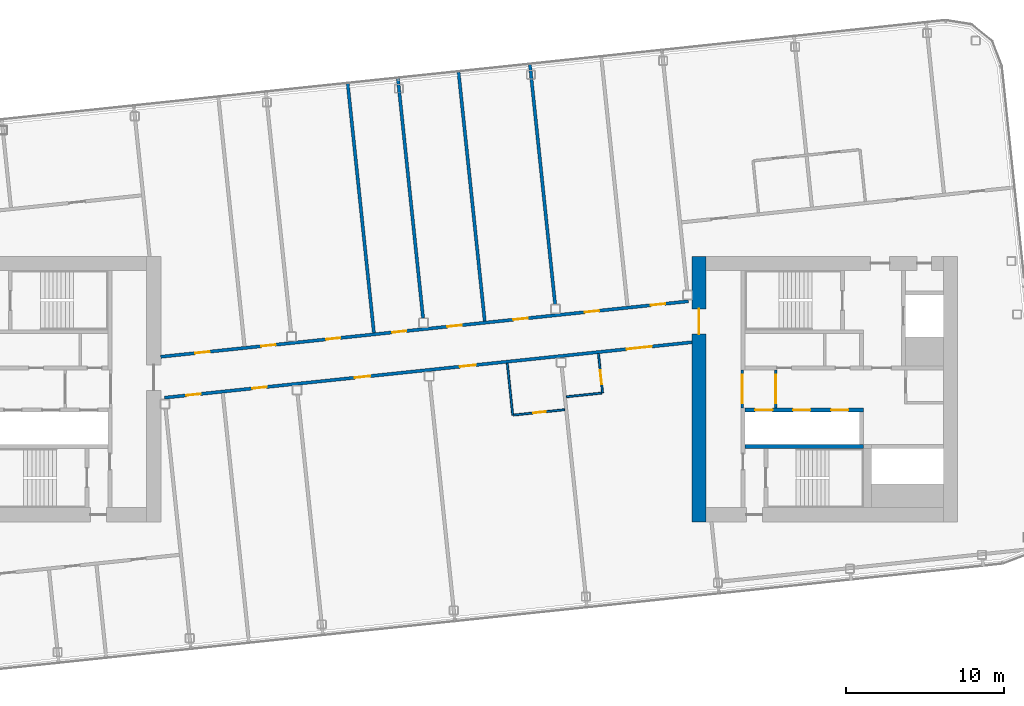
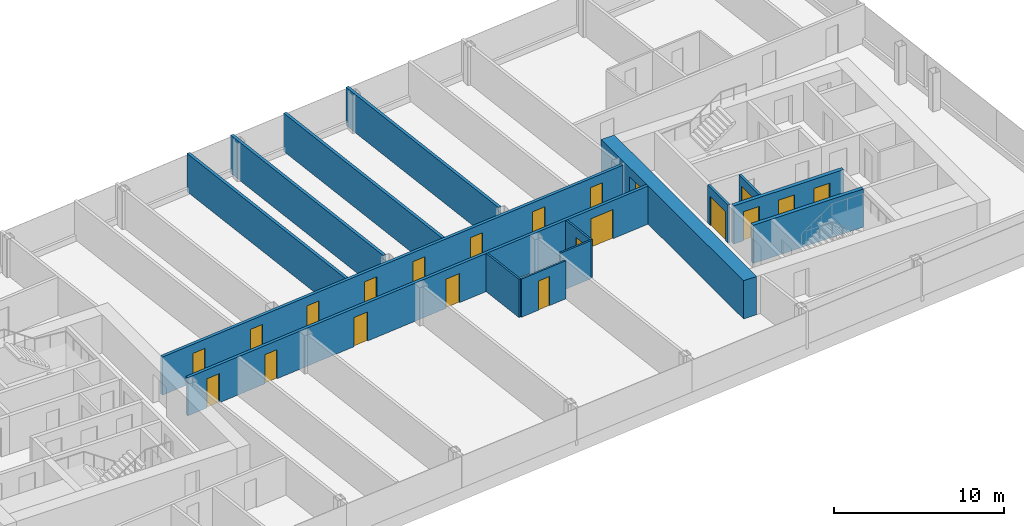
# One storey, part 16 of 27: 21 doors, 15 walls, 21 openings.
"""IFC4 building model written with IfcOpenShell, lengths in metres."""

from ifc_helpers import new_model, si_unit, direction, frame, frame_2d, origin, place, context, subcontext, project, spatial, rectangle, extrude, material, layer, layer_set, type_object, element, fill, save


model = new_model("IFC4")

# Units and contexts
model_context = context("Model", 3, precision=1e-05, world=origin(), true_north=direction((0.0, 1.0)))
body_context = subcontext(model_context, "Body", "Model", "MODEL_VIEW")
ifc_project = project(units=[si_unit("LENGTHUNIT", "METRE"), si_unit("AREAUNIT", "SQUARE_METRE"), si_unit("VOLUMEUNIT", "CUBIC_METRE"), si_unit("PLANEANGLEUNIT", "RADIAN"), si_unit("MASSUNIT", "GRAM", prefix="KILO")], contexts=[model_context])

# Site, building, storey
site_placement = place(None, origin())
site = spatial("IfcSite", under=ifc_project, at=site_placement, CompositionType="ELEMENT")
building_placement = place(site_placement, origin())
building = spatial("IfcBuilding", under=site, at=building_placement, Name="Hakoniwa Tower and Hamabe Station Hall", CompositionType="ELEMENT")
storey_placement = place(building_placement, frame((0.0, 0.0, 239.0)))
storey = spatial("IfcBuildingStorey", under=building, at=storey_placement, Name="L67", CompositionType="ELEMENT", Elevation=239.0)

# Wall, opening, door
ifc_material_1 = material(Name="Gypsum board partition", Category="gypsum")
ifc_layer_1 = layer(ifc_material_1, 0.125)
ifc_layer_set_1 = layer_set([ifc_layer_1], Name="Bathroom Partition 125")
wall_type_1 = type_object("IfcWallType", Name="Bathroom Partition 125", PredefinedType="PARTITIONING", material=ifc_layer_set_1)
wall_1_placement = place(storey_placement, frame((5.526123046875, -1.64501953125, 0.0), z_axis=(0.0, 0.0, 1.0), x_axis=(0.994522794159, 0.104519911488, 0.0)))
wall_1 = element("IfcWall", 1, at=wall_1_placement, inside=storey, type_object=wall_type_1, Name="GW-L67-004", PredefinedType="PARTITIONING", context=body_context, shape_type="SweptSolid", body=[
    extrude(rectangle(XDim=3.237548828125, YDim=0.125, at=frame_2d((1.61865234375, 0.0))), origin(), (0.0, 0.0, 1.0), 2.75),
])
opening_1_placement = place(wall_1_placement, frame((1.237548828125, 0.0, 0.0)))
opening_1 = element("IfcOpeningElement", 2, at=opening_1_placement, cuts=wall_1, Name="Opening GD-G5A0-06", PredefinedType="OPENING", context=body_context, shape_type="SweptSolid", body=[
    extrude(rectangle(XDim=0.800048828125, YDim=2.10009765625, at=frame_2d((0.39990234375, 1.050048828125))), frame((0.0, 0.072509765625, 0.0), z_axis=(0.0, -1.0, 0.0), x_axis=(1.0, 0.0, 0.0)), (0.0, 0.0, 1.0), 0.14501953125),
])
ifc_material_2 = material(Name="Timber door leaf", Category="wood")
door_type_1 = type_object("IfcDoorType", Name="Bathroom Door 800", OperationType="SINGLE_SWING_LEFT", PredefinedType="DOOR", material=ifc_material_2)
door_1_placement = place(opening_1_placement, origin())
door_1 = element("IfcDoor", 3, at=door_1_placement, inside=storey, type_object=door_type_1, Name="Door GD-G5A0-06", OperationType="SINGLE_SWING_RIGHT", OverallHeight=2.10009765625, OverallWidth=0.800048828125, PredefinedType="DOOR", context=body_context, shape_type="SweptSolid", body=[
    extrude(rectangle(XDim=0.800048828125, YDim=2.10009765625, at=frame_2d((0.39990234375, 1.050048828125))), frame((0.0, 0.02490234375, 0.0), z_axis=(0.0, -1.0, 0.0), x_axis=(1.0, 0.0, 0.0)), (0.0, 0.0, 1.0), 0.050048828125),
])
fill(opening_1, door_1)

# Wall
wall_2_placement = place(storey_placement, frame((5.4638671875, -1.651611328125, 0.0), z_axis=(0.0, 0.0, 1.0), x_axis=(-0.104534592565, 0.994521251134, 0.0)))
element("IfcWall", 4, at=wall_2_placement, inside=storey, type_object=wall_type_1, Name="GW-L67-031", PredefinedType="PARTITIONING", context=body_context, shape_type="SweptSolid", body=[
    extrude(rectangle(XDim=3.300048828125, YDim=0.125, at=frame_2d((1.64990234375, 0.0))), origin(), (0.0, 0.0, 1.0), 2.75),
])

# Wall, opening, door
ifc_material_3 = material(Name="Gypsum board partition")
ifc_layer_2 = layer(ifc_material_3, 0.14990234375)
ifc_layer_set_2 = layer_set([ifc_layer_2], Name="CORE PARTITION 150 EI 60")
wall_type_2 = type_object("IfcWallType", Name="CORE PARTITION 150 EI 60", PredefinedType="PARTITIONING", material=ifc_layer_set_2)
wall_3_placement = place(storey_placement, frame((19.97509765625, -1.199951171875, 0.0), z_axis=(0.0, 0.0, 1.0), x_axis=(0.0, 1.0, 0.0)))
wall_3 = element("IfcWall", 5, at=wall_3_placement, inside=storey, type_object=wall_type_2, Name="Core partition PL0 east", PredefinedType="PARTITIONING", context=body_context, shape_type="SweptSolid", body=[
    extrude(rectangle(XDim=2.39990234375, YDim=0.14990234375, at=frame_2d((1.199951171875, 0.0))), origin(), (0.0, 0.0, 1.0), 2.75),
])
opening_2_placement = place(wall_3_placement, frame((0.300048828125, 0.0, 0.0)))
opening_2 = element("IfcOpeningElement", 6, at=opening_2_placement, cuts=wall_3, Name="Opening CD-E-LP0-18", PredefinedType="OPENING", context=body_context, shape_type="SweptSolid", body=[
    extrude(rectangle(XDim=1.800048828125, YDim=2.10009765625, at=frame_2d((0.89990234375, 1.050048828125))), frame((0.0, 0.0849609375, 0.0), z_axis=(0.0, -1.0, 0.0), x_axis=(1.0, 0.0, 0.0)), (0.0, 0.0, 1.0), 0.169921875),
])
ifc_material_4 = material(Name="Steel fire door", Category="steel")
door_type_2 = type_object("IfcDoorType", Name="CORE DOOR 1800 FD60", OperationType="DOUBLE_DOOR_SINGLE_SWING", PredefinedType="DOOR", material=ifc_material_4)
door_2_placement = place(opening_2_placement, origin())
door_2 = element("IfcDoor", 7, at=door_2_placement, inside=storey, type_object=door_type_2, Name="Lift lobby partition door", OperationType="DOUBLE_DOOR_SINGLE_SWING", OverallHeight=2.10009765625, OverallWidth=1.800048828125, PredefinedType="DOOR", context=body_context, shape_type="SweptSolid", body=[
    extrude(rectangle(XDim=1.800048828125, YDim=2.10009765625, at=frame_2d((0.89990234375, 1.050048828125))), frame((0.0, 0.02490234375, 0.0), z_axis=(0.0, -1.0, 0.0), x_axis=(1.0, 0.0, 0.0)), (0.0, 0.0, 1.0), 0.050048828125),
])
fill(opening_2, door_2)

wall_4_placement = place(storey_placement, frame((22.10009765625, -1.199951171875, 0.0), z_axis=(0.0, 0.0, 1.0), x_axis=(0.0, 1.0, 0.0)))
wall_4 = element("IfcWall", 8, at=wall_4_placement, inside=storey, type_object=wall_type_2, Name="Core partition PL1 east", PredefinedType="PARTITIONING", context=body_context, shape_type="SweptSolid", body=[
    extrude(rectangle(XDim=2.39990234375, YDim=0.14990234375, at=frame_2d((1.199951171875, 0.0))), origin(), (0.0, 0.0, 1.0), 2.75),
])
opening_3_placement = place(wall_4_placement, frame((0.300048828125, 0.0, 0.0)))
opening_3 = element("IfcOpeningElement", 9, at=opening_3_placement, cuts=wall_4, Name="Opening CD-E-LP1-18", PredefinedType="OPENING", context=body_context, shape_type="SweptSolid", body=[
    extrude(rectangle(XDim=1.800048828125, YDim=2.10009765625, at=frame_2d((0.89990234375, 1.050048828125))), frame((0.0, 0.0849609375, 0.0), z_axis=(0.0, -1.0, 0.0), x_axis=(1.0, 0.0, 0.0)), (0.0, 0.0, 1.0), 0.169921875),
])
door_3_placement = place(opening_3_placement, origin())
door_3 = element("IfcDoor", 10, at=door_3_placement, inside=storey, type_object=door_type_2, Name="Lift lobby partition door", OperationType="DOUBLE_DOOR_SINGLE_SWING", OverallHeight=2.10009765625, OverallWidth=1.800048828125, PredefinedType="DOOR", context=body_context, shape_type="SweptSolid", body=[
    extrude(rectangle(XDim=1.800048828125, YDim=2.10009765625, at=frame_2d((0.89990234375, 1.050048828125))), frame((0.0, 0.02490234375, 0.0), z_axis=(0.0, -1.0, 0.0), x_axis=(1.0, 0.0, 0.0)), (0.0, 0.0, 1.0), 0.050048828125),
])
fill(opening_3, door_3)

ifc_material_5 = material(Name="Concrete C60", Category="concrete")
ifc_layer_3 = layer(ifc_material_5, 0.89990234375)
ifc_layer_set_3 = layer_set([ifc_layer_3], Name="CORE WALL 900 C60")
wall_type_3 = type_object("IfcWallType", Name="CORE WALL 900 C60", PredefinedType="SHEAR", material=ifc_layer_set_3)
wall_5_placement = place(storey_placement, frame((17.25, -8.39990234375, 0.0), z_axis=(0.0, 0.0, 1.0), x_axis=(0.0, 1.0, 0.0)))
wall_5 = element("IfcWall", 11, at=wall_5_placement, inside=storey, type_object=wall_type_3, Name="Core wall INNER east", PredefinedType="SHEAR", context=body_context, shape_type="SweptSolid", body=[
    extrude(rectangle(XDim=16.7998046875, YDim=0.89990234375, at=frame_2d((8.39990234375, 0.0))), origin(), (0.0, 0.0, 1.0), 2.75),
])
opening_4_placement = place(wall_5_placement, frame((11.87890625, 0.0, 0.0)))
opening_4 = element("IfcOpeningElement", 12, at=opening_4_placement, cuts=wall_5, Name="Opening CD-E-IN1-16", PredefinedType="OPENING", context=body_context, shape_type="SweptSolid", body=[
    extrude(rectangle(XDim=1.60009765625, YDim=2.10009765625, at=frame_2d((0.800048828125, 1.050048828125))), frame((0.0, 0.4599609375, 0.0), z_axis=(0.0, -1.0, 0.0), x_axis=(1.0, 0.0, 0.0)), (0.0, 0.0, 1.0), 0.919921875),
])
ifc_material_6 = material(Name="Steel fire door", Category="steel")
door_type_3 = type_object("IfcDoorType", Name="CORE DOOR 1600 FD60", OperationType="DOUBLE_DOOR_SINGLE_SWING", PredefinedType="DOOR", material=ifc_material_6)
door_4_placement = place(opening_4_placement, origin())
door_4 = element("IfcDoor", 13, at=door_4_placement, inside=storey, type_object=door_type_3, Name="Lift lobby door", OperationType="DOUBLE_DOOR_SINGLE_SWING", OverallHeight=2.10009765625, OverallWidth=1.60009765625, PredefinedType="DOOR", context=body_context, shape_type="SweptSolid", body=[
    extrude(rectangle(XDim=1.60009765625, YDim=2.10009765625, at=frame_2d((0.800048828125, 1.050048828125))), frame((0.0, 0.02490234375, 0.0), z_axis=(0.0, -1.0, 0.0), x_axis=(1.0, 0.0, 0.0)), (0.0, 0.0, 1.0), 0.050048828125),
])
fill(opening_4, door_4)

# Wall, openings, doors
ifc_material_7 = material(Name="Concrete C60", Category="concrete")
ifc_layer_4 = layer(ifc_material_7, 0.25)
ifc_layer_set_4 = layer_set([ifc_layer_4], Name="CORE WEB WALL 250 C60")
wall_type_4 = type_object("IfcWallType", Name="CORE WEB WALL 250 C60", PredefinedType="SHEAR", material=ifc_layer_set_4)
wall_6_placement = place(storey_placement, frame((20.14990234375, -1.324951171875, 0.0), z_axis=(0.0, 0.0, 1.0), x_axis=(1.0, 0.0, 0.0)))
wall_6 = element("IfcWall", 14, at=wall_6_placement, inside=storey, type_object=wall_type_4, Name="Core wall SF east", PredefinedType="SHEAR", context=body_context, shape_type="SweptSolid", body=[
    extrude(rectangle(XDim=7.5, YDim=0.25, at=frame_2d((3.75, 0.0))), origin(), (0.0, 0.0, 1.0), 2.75),
])
opening_5_placement = place(wall_6_placement, frame((0.64990234375, 0.0, 0.0)))
opening_5 = element("IfcOpeningElement", 15, at=opening_5_placement, cuts=wall_6, Name="Opening LD-HR4", PredefinedType="OPENING", context=body_context, shape_type="SweptSolid", body=[
    extrude(rectangle(XDim=1.10009765625, YDim=2.10009765625, at=frame_2d((0.550048828125, 1.050048828125))), frame((0.0, 0.135009765625, 0.0), z_axis=(0.0, -1.0, 0.0), x_axis=(1.0, 0.0, 0.0)), (0.0, 0.0, 1.0), 0.27001953125),
])
opening_6_placement = place(wall_6_placement, frame((3.050048828125, 0.0, 0.0)))
opening_6 = element("IfcOpeningElement", 16, at=opening_6_placement, cuts=wall_6, Name="Opening LD-HR5", PredefinedType="OPENING", context=body_context, shape_type="SweptSolid", body=[
    extrude(rectangle(XDim=1.10009765625, YDim=2.10009765625, at=frame_2d((0.550048828125, 1.050048828125))), frame((0.0, 0.135009765625, 0.0), z_axis=(0.0, -1.0, 0.0), x_axis=(1.0, 0.0, 0.0)), (0.0, 0.0, 1.0), 0.27001953125),
])
opening_7_placement = place(wall_6_placement, frame((5.449951171875, 0.0, 0.0)))
opening_7 = element("IfcOpeningElement", 17, at=opening_7_placement, cuts=wall_6, Name="Opening LD-HR6", PredefinedType="OPENING", context=body_context, shape_type="SweptSolid", body=[
    extrude(rectangle(XDim=1.10009765625, YDim=2.10009765625, at=frame_2d((0.550048828125, 1.050048828125))), frame((0.0, 0.135009765625, 0.0), z_axis=(0.0, -1.0, 0.0), x_axis=(1.0, 0.0, 0.0)), (0.0, 0.0, 1.0), 0.27001953125),
])
ifc_material_8 = material(Name="Stainless steel SUS304", Category="steel")
door_type_4 = type_object("IfcDoorType", Name="LIFT LANDING DOOR 1100 FD60", OperationType="DOUBLE_DOOR_SLIDING", PredefinedType="DOOR", material=ifc_material_8)
door_5_placement = place(opening_5_placement, origin())
door_5 = element("IfcDoor", 18, at=door_5_placement, inside=storey, type_object=door_type_4, Name="Lift landing door HR4 L67", OperationType="DOUBLE_DOOR_SLIDING", OverallHeight=2.10009765625, OverallWidth=1.10009765625, PredefinedType="DOOR", context=body_context, shape_type="SweptSolid", body=[
    extrude(rectangle(XDim=1.10009765625, YDim=2.10009765625, at=frame_2d((0.550048828125, 1.050048828125))), frame((0.0, 0.02490234375, 0.0), z_axis=(0.0, -1.0, 0.0), x_axis=(1.0, 0.0, 0.0)), (0.0, 0.0, 1.0), 0.050048828125),
])
fill(opening_5, door_5)
door_6_placement = place(opening_6_placement, origin())
door_6 = element("IfcDoor", 19, at=door_6_placement, inside=storey, type_object=door_type_4, Name="Lift landing door HR5 L67", OperationType="DOUBLE_DOOR_SLIDING", OverallHeight=2.10009765625, OverallWidth=1.10009765625, PredefinedType="DOOR", context=body_context, shape_type="SweptSolid", body=[
    extrude(rectangle(XDim=1.10009765625, YDim=2.10009765625, at=frame_2d((0.550048828125, 1.050048828125))), frame((0.0, 0.02490234375, 0.0), z_axis=(0.0, -1.0, 0.0), x_axis=(1.0, 0.0, 0.0)), (0.0, 0.0, 1.0), 0.050048828125),
])
fill(opening_6, door_6)
door_7_placement = place(opening_7_placement, origin())
door_7 = element("IfcDoor", 20, at=door_7_placement, inside=storey, type_object=door_type_4, Name="Lift landing door HR6 L67", OperationType="DOUBLE_DOOR_SLIDING", OverallHeight=2.10009765625, OverallWidth=1.10009765625, PredefinedType="DOOR", context=body_context, shape_type="SweptSolid", body=[
    extrude(rectangle(XDim=1.10009765625, YDim=2.10009765625, at=frame_2d((0.550048828125, 1.050048828125))), frame((0.0, 0.02490234375, 0.0), z_axis=(0.0, -1.0, 0.0), x_axis=(1.0, 0.0, 0.0)), (0.0, 0.0, 1.0), 0.050048828125),
])
fill(opening_7, door_7)

# Wall
wall_7_placement = place(storey_placement, frame((20.14990234375, -3.625, 0.0), z_axis=(0.0, 0.0, 1.0), x_axis=(1.0, 0.0, 0.0)))
element("IfcWall", 21, at=wall_7_placement, inside=storey, type_object=wall_type_4, Name="Core wall SR east", PredefinedType="SHEAR", context=body_context, shape_type="SweptSolid", body=[
    extrude(rectangle(XDim=7.5, YDim=0.25, at=frame_2d((3.75, 0.0))), origin(), (0.0, 0.0, 1.0), 2.75),
])

# Wall, openings, doors
ifc_material_9 = material(Name="Fire-rated gypsum board partition", Category="gypsum")
ifc_layer_5 = layer(ifc_material_9, 0.199951171875)
ifc_layer_set_5 = layer_set([ifc_layer_5], Name="Corridor Wall 200")
wall_type_5 = type_object("IfcWallType", Name="Corridor Wall 200", PredefinedType="PARTITIONING", material=ifc_layer_set_5)
wall_8_placement = place(storey_placement, frame((-16.572021484375, -0.549072265625, 0.0), z_axis=(0.0, 0.0, 1.0), x_axis=(0.994521146831, 0.104535584879, 0.0)))
wall_8 = element("IfcWall", 22, at=wall_8_placement, inside=storey, type_object=wall_type_5, Name="GW-L67-006", PredefinedType="PARTITIONING", context=body_context, shape_type="SweptSolid", body=[
    extrude(rectangle(XDim=33.560791015625, YDim=0.199951171875, at=frame_2d((16.7802734375, 0.0))), origin(), (0.0, 0.0, 1.0), 2.75),
])
opening_8_placement = place(wall_8_placement, frame((1.39990234375, 0.0, 0.0)))
opening_8 = element("IfcOpeningElement", 23, at=opening_8_placement, cuts=wall_8, Name="Opening GD-G5A0-07", PredefinedType="OPENING", context=body_context, shape_type="SweptSolid", body=[
    extrude(rectangle(XDim=0.89990234375, YDim=2.10009765625, at=frame_2d((0.449951171875, 1.050048828125))), frame((0.0, 0.10986328125, 0.0), z_axis=(0.0, -1.0, 0.0), x_axis=(1.0, 0.0, 0.0)), (0.0, 0.0, 1.0), 0.219970703125),
])
opening_9_placement = place(wall_8_placement, frame((5.60009765625, 0.0, 0.0)))
opening_9 = element("IfcOpeningElement", 24, at=opening_9_placement, cuts=wall_8, Name="Opening GD-G5A0-08", PredefinedType="OPENING", context=body_context, shape_type="SweptSolid", body=[
    extrude(rectangle(XDim=0.89990234375, YDim=2.10009765625, at=frame_2d((0.449951171875, 1.050048828125))), frame((0.0, 0.10986328125, 0.0), z_axis=(0.0, -1.0, 0.0), x_axis=(1.0, 0.0, 0.0)), (0.0, 0.0, 1.0), 0.219970703125),
])
opening_10_placement = place(wall_8_placement, frame((12.10009765625, 0.0, 0.0)))
opening_10 = element("IfcOpeningElement", 25, at=opening_10_placement, cuts=wall_8, Name="Opening GD-G5A0-09", PredefinedType="OPENING", context=body_context, shape_type="SweptSolid", body=[
    extrude(rectangle(XDim=1.0, YDim=2.10009765625, at=frame_2d((0.5, 1.050048828125))), frame((0.0, 0.10986328125, 0.0), z_axis=(0.0, -1.0, 0.0), x_axis=(1.0, 0.0, 0.0)), (0.0, 0.0, 1.0), 0.219970703125),
])
opening_11_placement = place(wall_8_placement, frame((18.800048828125, 0.0, 0.0)))
opening_11 = element("IfcOpeningElement", 26, at=opening_11_placement, cuts=wall_8, Name="Opening GD-G5A0-10", PredefinedType="OPENING", context=body_context, shape_type="SweptSolid", body=[
    extrude(rectangle(XDim=1.0, YDim=2.10009765625, at=frame_2d((0.5, 1.050048828125))), frame((0.0, 0.10986328125, 0.0), z_axis=(0.0, -1.0, 0.0), x_axis=(1.0, 0.0, 0.0)), (0.0, 0.0, 1.0), 0.219970703125),
])
opening_12_placement = place(wall_8_placement, frame((29.39990234375, 0.0, 0.0)))
opening_12 = element("IfcOpeningElement", 27, at=opening_12_placement, cuts=wall_8, Name="Opening GD-G5A0-11", PredefinedType="OPENING", context=body_context, shape_type="SweptSolid", body=[
    extrude(rectangle(XDim=1.60009765625, YDim=2.10009765625, at=frame_2d((0.800048828125, 1.050048828125))), frame((0.0, 0.10986328125, 0.0), z_axis=(0.0, -1.0, 0.0), x_axis=(1.0, 0.0, 0.0)), (0.0, 0.0, 1.0), 0.219970703125),
])
ifc_material_10 = material(Name="Timber door leaf", Category="wood")
door_type_5 = type_object("IfcDoorType", Name="Double Door 1600", OperationType="DOUBLE_DOOR_SINGLE_SWING", PredefinedType="DOOR", material=ifc_material_10)
door_8_placement = place(opening_12_placement, origin())
door_8 = element("IfcDoor", 28, at=door_8_placement, inside=storey, type_object=door_type_5, Name="Door GD-G5A0-11", OperationType="DOUBLE_DOOR_SINGLE_SWING", OverallHeight=2.10009765625, OverallWidth=1.60009765625, PredefinedType="DOOR", context=body_context, shape_type="SweptSolid", body=[
    extrude(rectangle(XDim=1.60009765625, YDim=2.10009765625, at=frame_2d((0.800048828125, 1.050048828125))), frame((0.0, 0.02490234375, 0.0), z_axis=(0.0, -1.0, 0.0), x_axis=(1.0, 0.0, 0.0)), (0.0, 0.0, 1.0), 0.050048828125),
])
fill(opening_12, door_8)
ifc_material_11 = material(Name="Timber door leaf", Category="wood")
door_type_6 = type_object("IfcDoorType", Name="Guest Entrance Door 1000", OperationType="SINGLE_SWING_LEFT", PredefinedType="DOOR", material=ifc_material_11)
door_9_placement = place(opening_10_placement, origin())
door_9 = element("IfcDoor", 29, at=door_9_placement, inside=storey, type_object=door_type_6, Name="Door GD-G5A0-09", OperationType="SINGLE_SWING_RIGHT", OverallHeight=2.10009765625, OverallWidth=1.0, PredefinedType="DOOR", context=body_context, shape_type="SweptSolid", body=[
    extrude(rectangle(XDim=1.0, YDim=2.10009765625, at=frame_2d((0.5, 1.050048828125))), frame((0.0, 0.02490234375, 0.0), z_axis=(0.0, -1.0, 0.0), x_axis=(1.0, 0.0, 0.0)), (0.0, 0.0, 1.0), 0.050048828125),
])
fill(opening_10, door_9)
door_10_placement = place(opening_11_placement, origin())
door_10 = element("IfcDoor", 30, at=door_10_placement, inside=storey, type_object=door_type_6, Name="Door GD-G5A0-10", OperationType="SINGLE_SWING_RIGHT", OverallHeight=2.10009765625, OverallWidth=1.0, PredefinedType="DOOR", context=body_context, shape_type="SweptSolid", body=[
    extrude(rectangle(XDim=1.0, YDim=2.10009765625, at=frame_2d((0.5, 1.050048828125))), frame((0.0, 0.02490234375, 0.0), z_axis=(0.0, -1.0, 0.0), x_axis=(1.0, 0.0, 0.0)), (0.0, 0.0, 1.0), 0.050048828125),
])
fill(opening_11, door_10)
ifc_material_12 = material(Name="Timber door leaf", Category="wood")
door_type_7 = type_object("IfcDoorType", Name="Service Door 900", OperationType="SINGLE_SWING_LEFT", PredefinedType="DOOR", material=ifc_material_12)
door_11_placement = place(opening_8_placement, origin())
door_11 = element("IfcDoor", 31, at=door_11_placement, inside=storey, type_object=door_type_7, Name="Door GD-G5A0-07", OperationType="SINGLE_SWING_RIGHT", OverallHeight=2.10009765625, OverallWidth=0.89990234375, PredefinedType="DOOR", context=body_context, shape_type="SweptSolid", body=[
    extrude(rectangle(XDim=0.89990234375, YDim=2.10009765625, at=frame_2d((0.449951171875, 1.050048828125))), frame((0.0, 0.02490234375, 0.0), z_axis=(0.0, -1.0, 0.0), x_axis=(1.0, 0.0, 0.0)), (0.0, 0.0, 1.0), 0.050048828125),
])
fill(opening_8, door_11)
door_12_placement = place(opening_9_placement, origin())
door_12 = element("IfcDoor", 32, at=door_12_placement, inside=storey, type_object=door_type_7, Name="Door GD-G5A0-08", OperationType="SINGLE_SWING_LEFT", OverallHeight=2.10009765625, OverallWidth=0.89990234375, PredefinedType="DOOR", context=body_context, shape_type="SweptSolid", body=[
    extrude(rectangle(XDim=0.89990234375, YDim=2.10009765625, at=frame_2d((0.449951171875, 1.050048828125))), frame((0.0, 0.02490234375, 0.0), z_axis=(0.0, -1.0, 0.0), x_axis=(1.0, 0.0, 0.0)), (0.0, 0.0, 1.0), 0.050048828125),
])
fill(opening_9, door_12)

wall_9_placement = place(storey_placement, frame((-16.804931640625, 2.040771484375, 0.0), z_axis=(0.0, 0.0, 1.0), x_axis=(0.994521146831, 0.104535584879, 0.0)))
wall_9 = element("IfcWall", 33, at=wall_9_placement, inside=storey, type_object=wall_type_5, Name="GW-L67-007", PredefinedType="PARTITIONING", context=body_context, shape_type="SweptSolid", body=[
    extrude(rectangle(XDim=33.560791015625, YDim=0.199951171875, at=frame_2d((16.7802734375, 0.0))), origin(), (0.0, 0.0, 1.0), 2.75),
])
opening_13_placement = place(wall_9_placement, frame((2.200927734375, 0.0, 0.0)))
opening_13 = element("IfcOpeningElement", 34, at=opening_13_placement, cuts=wall_9, Name="Opening GD-G5A0-12", PredefinedType="OPENING", context=body_context, shape_type="SweptSolid", body=[
    extrude(rectangle(XDim=0.89990234375, YDim=2.10009765625, at=frame_2d((0.449951171875, 1.050048828125))), frame((0.0, 0.10986328125, 0.0), z_axis=(0.0, -1.0, 0.0), x_axis=(1.0, 0.0, 0.0)), (0.0, 0.0, 1.0), 0.219970703125),
])
opening_14_placement = place(wall_9_placement, frame((6.40087890625, 0.0, 0.0)))
opening_14 = element("IfcOpeningElement", 35, at=opening_14_placement, cuts=wall_9, Name="Opening GD-G5A0-13", PredefinedType="OPENING", context=body_context, shape_type="SweptSolid", body=[
    extrude(rectangle(XDim=0.89990234375, YDim=2.10009765625, at=frame_2d((0.449951171875, 1.050048828125))), frame((0.0, 0.10986328125, 0.0), z_axis=(0.0, -1.0, 0.0), x_axis=(1.0, 0.0, 0.0)), (0.0, 0.0, 1.0), 0.219970703125),
])
opening_15_placement = place(wall_9_placement, frame((10.515869140625, 0.0, 0.0)))
opening_15 = element("IfcOpeningElement", 36, at=opening_15_placement, cuts=wall_9, Name="Opening GD-G5A0-14", PredefinedType="OPENING", context=body_context, shape_type="SweptSolid", body=[
    extrude(rectangle(XDim=0.89990234375, YDim=2.10009765625, at=frame_2d((0.449951171875, 1.050048828125))), frame((0.0, 0.10986328125, 0.0), z_axis=(0.0, -1.0, 0.0), x_axis=(1.0, 0.0, 0.0)), (0.0, 0.0, 1.0), 0.219970703125),
])
opening_16_placement = place(wall_9_placement, frame((14.7158203125, 0.0, 0.0)))
opening_16 = element("IfcOpeningElement", 37, at=opening_16_placement, cuts=wall_9, Name="Opening GD-G5A0-15", PredefinedType="OPENING", context=body_context, shape_type="SweptSolid", body=[
    extrude(rectangle(XDim=0.89990234375, YDim=2.10009765625, at=frame_2d((0.449951171875, 1.050048828125))), frame((0.0, 0.10986328125, 0.0), z_axis=(0.0, -1.0, 0.0), x_axis=(1.0, 0.0, 0.0)), (0.0, 0.0, 1.0), 0.219970703125),
])
opening_17_placement = place(wall_9_placement, frame((18.240966796875, 0.0, 0.0)))
opening_17 = element("IfcOpeningElement", 38, at=opening_17_placement, cuts=wall_9, Name="Opening GD-G5A0-16", PredefinedType="OPENING", context=body_context, shape_type="SweptSolid", body=[
    extrude(rectangle(XDim=0.89990234375, YDim=2.10009765625, at=frame_2d((0.449951171875, 1.050048828125))), frame((0.0, 0.10986328125, 0.0), z_axis=(0.0, -1.0, 0.0), x_axis=(1.0, 0.0, 0.0)), (0.0, 0.0, 1.0), 0.219970703125),
])
opening_18_placement = place(wall_9_placement, frame((22.44091796875, 0.0, 0.0)))
opening_18 = element("IfcOpeningElement", 39, at=opening_18_placement, cuts=wall_9, Name="Opening GD-G5A0-17", PredefinedType="OPENING", context=body_context, shape_type="SweptSolid", body=[
    extrude(rectangle(XDim=0.89990234375, YDim=2.10009765625, at=frame_2d((0.449951171875, 1.050048828125))), frame((0.0, 0.10986328125, 0.0), z_axis=(0.0, -1.0, 0.0), x_axis=(1.0, 0.0, 0.0)), (0.0, 0.0, 1.0), 0.219970703125),
])
opening_19_placement = place(wall_9_placement, frame((26.98095703125, 0.0, 0.0)))
opening_19 = element("IfcOpeningElement", 40, at=opening_19_placement, cuts=wall_9, Name="Opening GD-G5A0-18", PredefinedType="OPENING", context=body_context, shape_type="SweptSolid", body=[
    extrude(rectangle(XDim=0.89990234375, YDim=2.10009765625, at=frame_2d((0.449951171875, 1.050048828125))), frame((0.0, 0.10986328125, 0.0), z_axis=(0.0, -1.0, 0.0), x_axis=(1.0, 0.0, 0.0)), (0.0, 0.0, 1.0), 0.219970703125),
])
opening_20_placement = place(wall_9_placement, frame((31.180908203125, 0.0, 0.0)))
opening_20 = element("IfcOpeningElement", 41, at=opening_20_placement, cuts=wall_9, Name="Opening GD-G5A0-19", PredefinedType="OPENING", context=body_context, shape_type="SweptSolid", body=[
    extrude(rectangle(XDim=0.89990234375, YDim=2.10009765625, at=frame_2d((0.449951171875, 1.050048828125))), frame((0.0, 0.10986328125, 0.0), z_axis=(0.0, -1.0, 0.0), x_axis=(1.0, 0.0, 0.0)), (0.0, 0.0, 1.0), 0.219970703125),
])
door_13_placement = place(opening_13_placement, origin())
door_13 = element("IfcDoor", 42, at=door_13_placement, inside=storey, type_object=door_type_7, Name="Door GD-G5A0-12", OperationType="SINGLE_SWING_LEFT", OverallHeight=2.10009765625, OverallWidth=0.89990234375, PredefinedType="DOOR", context=body_context, shape_type="SweptSolid", body=[
    extrude(rectangle(XDim=0.89990234375, YDim=2.10009765625, at=frame_2d((0.449951171875, 1.050048828125))), frame((0.0, 0.02490234375, 0.0), z_axis=(0.0, -1.0, 0.0), x_axis=(1.0, 0.0, 0.0)), (0.0, 0.0, 1.0), 0.050048828125),
])
fill(opening_13, door_13)
door_14_placement = place(opening_14_placement, origin())
door_14 = element("IfcDoor", 43, at=door_14_placement, inside=storey, type_object=door_type_7, Name="Door GD-G5A0-13", OperationType="SINGLE_SWING_RIGHT", OverallHeight=2.10009765625, OverallWidth=0.89990234375, PredefinedType="DOOR", context=body_context, shape_type="SweptSolid", body=[
    extrude(rectangle(XDim=0.89990234375, YDim=2.10009765625, at=frame_2d((0.449951171875, 1.050048828125))), frame((0.0, 0.02490234375, 0.0), z_axis=(0.0, -1.0, 0.0), x_axis=(1.0, 0.0, 0.0)), (0.0, 0.0, 1.0), 0.050048828125),
])
fill(opening_14, door_14)
door_15_placement = place(opening_15_placement, origin())
door_15 = element("IfcDoor", 44, at=door_15_placement, inside=storey, type_object=door_type_7, Name="Door GD-G5A0-14", OperationType="SINGLE_SWING_LEFT", OverallHeight=2.10009765625, OverallWidth=0.89990234375, PredefinedType="DOOR", context=body_context, shape_type="SweptSolid", body=[
    extrude(rectangle(XDim=0.89990234375, YDim=2.10009765625, at=frame_2d((0.449951171875, 1.050048828125))), frame((0.0, 0.02490234375, 0.0), z_axis=(0.0, -1.0, 0.0), x_axis=(1.0, 0.0, 0.0)), (0.0, 0.0, 1.0), 0.050048828125),
])
fill(opening_15, door_15)
door_16_placement = place(opening_16_placement, origin())
door_16 = element("IfcDoor", 45, at=door_16_placement, inside=storey, type_object=door_type_7, Name="Door GD-G5A0-15", OperationType="SINGLE_SWING_RIGHT", OverallHeight=2.10009765625, OverallWidth=0.89990234375, PredefinedType="DOOR", context=body_context, shape_type="SweptSolid", body=[
    extrude(rectangle(XDim=0.89990234375, YDim=2.10009765625, at=frame_2d((0.449951171875, 1.050048828125))), frame((0.0, 0.02490234375, 0.0), z_axis=(0.0, -1.0, 0.0), x_axis=(1.0, 0.0, 0.0)), (0.0, 0.0, 1.0), 0.050048828125),
])
fill(opening_16, door_16)
door_17_placement = place(opening_17_placement, origin())
door_17 = element("IfcDoor", 46, at=door_17_placement, inside=storey, type_object=door_type_7, Name="Door GD-G5A0-16", OperationType="SINGLE_SWING_LEFT", OverallHeight=2.10009765625, OverallWidth=0.89990234375, PredefinedType="DOOR", context=body_context, shape_type="SweptSolid", body=[
    extrude(rectangle(XDim=0.89990234375, YDim=2.10009765625, at=frame_2d((0.449951171875, 1.050048828125))), frame((0.0, 0.02490234375, 0.0), z_axis=(0.0, -1.0, 0.0), x_axis=(1.0, 0.0, 0.0)), (0.0, 0.0, 1.0), 0.050048828125),
])
fill(opening_17, door_17)
door_18_placement = place(opening_18_placement, origin())
door_18 = element("IfcDoor", 47, at=door_18_placement, inside=storey, type_object=door_type_7, Name="Door GD-G5A0-17", OperationType="SINGLE_SWING_RIGHT", OverallHeight=2.10009765625, OverallWidth=0.89990234375, PredefinedType="DOOR", context=body_context, shape_type="SweptSolid", body=[
    extrude(rectangle(XDim=0.89990234375, YDim=2.10009765625, at=frame_2d((0.449951171875, 1.050048828125))), frame((0.0, 0.02490234375, 0.0), z_axis=(0.0, -1.0, 0.0), x_axis=(1.0, 0.0, 0.0)), (0.0, 0.0, 1.0), 0.050048828125),
])
fill(opening_18, door_18)
door_19_placement = place(opening_19_placement, origin())
door_19 = element("IfcDoor", 48, at=door_19_placement, inside=storey, type_object=door_type_7, Name="Door GD-G5A0-18", OperationType="SINGLE_SWING_LEFT", OverallHeight=2.10009765625, OverallWidth=0.89990234375, PredefinedType="DOOR", context=body_context, shape_type="SweptSolid", body=[
    extrude(rectangle(XDim=0.89990234375, YDim=2.10009765625, at=frame_2d((0.449951171875, 1.050048828125))), frame((0.0, 0.02490234375, 0.0), z_axis=(0.0, -1.0, 0.0), x_axis=(1.0, 0.0, 0.0)), (0.0, 0.0, 1.0), 0.050048828125),
])
fill(opening_19, door_19)
door_20_placement = place(opening_20_placement, origin())
door_20 = element("IfcDoor", 49, at=door_20_placement, inside=storey, type_object=door_type_7, Name="Door GD-G5A0-19", OperationType="SINGLE_SWING_RIGHT", OverallHeight=2.10009765625, OverallWidth=0.89990234375, PredefinedType="DOOR", context=body_context, shape_type="SweptSolid", body=[
    extrude(rectangle(XDim=0.89990234375, YDim=2.10009765625, at=frame_2d((0.449951171875, 1.050048828125))), frame((0.0, 0.02490234375, 0.0), z_axis=(0.0, -1.0, 0.0), x_axis=(1.0, 0.0, 0.0)), (0.0, 0.0, 1.0), 0.050048828125),
])
fill(opening_20, door_20)

# Walls
ifc_material_13 = material(Name="Fire-rated gypsum board partition", Category="gypsum")
ifc_layer_6 = layer(ifc_material_13, 0.199951171875)
ifc_layer_set_6 = layer_set([ifc_layer_6], Name="Party Wall 200")
wall_type_6 = type_object("IfcWallType", Name="Party Wall 200", PredefinedType="PARTITIONING", material=ifc_layer_set_6)
wall_10_placement = place(storey_placement, frame((-3.31884765625, 3.558837890625, 0.0), z_axis=(0.0, 0.0, 1.0), x_axis=(-0.104534518003, 0.994521258971, 0.0)))
element("IfcWall", 50, at=wall_10_placement, inside=storey, type_object=wall_type_6, Name="GW-L67-027", PredefinedType="PARTITIONING", context=body_context, shape_type="SweptSolid", body=[
    extrude(rectangle(XDim=15.900146484375, YDim=0.199951171875, at=frame_2d((7.9501953125, 0.0))), origin(), (0.0, 0.0, 1.0), 2.75),
])
wall_11_placement = place(storey_placement, frame((-0.208251953125, 4.480712890625, 0.0), z_axis=(0.0, 0.0, 1.0), x_axis=(-0.104523729364, 0.99452239291, 0.0)))
element("IfcWall", 51, at=wall_11_placement, inside=storey, type_object=wall_type_6, Name="GW-L67-029", PredefinedType="PARTITIONING", context=body_context, shape_type="SweptSolid", body=[
    extrude(rectangle(XDim=15.308349609375, YDim=0.199951171875, at=frame_2d((7.654296875, 0.0))), origin(), (0.0, 0.0, 1.0), 2.75),
])
wall_12_placement = place(storey_placement, frame((3.692626953125, 4.2958984375, 0.0), z_axis=(0.0, 0.0, 1.0), x_axis=(-0.104536114326, 0.99452109118, 0.0)))
element("IfcWall", 52, at=wall_12_placement, inside=storey, type_object=wall_type_6, Name="GW-L67-030", PredefinedType="PARTITIONING", context=body_context, shape_type="SweptSolid", body=[
    extrude(rectangle(XDim=15.89990234375, YDim=0.199951171875, at=frame_2d((7.949951171875, 0.0))), origin(), (0.0, 0.0, 1.0), 2.75),
])
wall_13_placement = place(storey_placement, frame((8.145751953125, 5.358642578125, 0.0), z_axis=(0.0, 0.0, 1.0), x_axis=(-0.104523729364, 0.99452239291, 0.0)))
element("IfcWall", 53, at=wall_13_placement, inside=storey, type_object=wall_type_6, Name="GW-L67-033", PredefinedType="PARTITIONING", context=body_context, shape_type="SweptSolid", body=[
    extrude(rectangle(XDim=15.308349609375, YDim=0.199951171875, at=frame_2d((7.654296875, 0.0))), origin(), (0.0, 0.0, 1.0), 2.75),
])
ifc_material_14 = material(Name="Gypsum board partition", Category="gypsum")
ifc_layer_7 = layer(ifc_material_14, 0.125)
ifc_layer_set_7 = layer_set([ifc_layer_7], Name="Room Partition 125")
wall_type_7 = type_object("IfcWallType", Name="Room Partition 125", PredefinedType="PARTITIONING", material=ifc_layer_set_7)
wall_14_placement = place(storey_placement, frame((8.861083984375, -0.490234375, 0.0), z_axis=(0.0, 0.0, 1.0), x_axis=(0.99452218011, 0.104525754092, 0.0)))
element("IfcWall", 54, at=wall_14_placement, inside=storey, type_object=wall_type_7, Name="GW-L67-005", PredefinedType="PARTITIONING", context=body_context, shape_type="SweptSolid", body=[
    extrude(rectangle(XDim=2.237548828125, YDim=0.125, at=frame_2d((1.11865234375, 0.0))), origin(), (0.0, 0.0, 1.0), 2.75),
])

# Wall, opening, door
wall_15_placement = place(storey_placement, frame((11.1484375, -0.249755859375, 0.0), z_axis=(0.0, 0.0, 1.0), x_axis=(-0.104491611519, 0.994525767953, 0.0)))
wall_15 = element("IfcWall", 55, at=wall_15_placement, inside=storey, type_object=wall_type_7, Name="GW-L67-034", PredefinedType="PARTITIONING", context=body_context, shape_type="SweptSolid", body=[
    extrude(rectangle(XDim=2.5, YDim=0.125, at=frame_2d((1.25, 0.0))), origin(), (0.0, 0.0, 1.0), 2.75),
])
opening_21_placement = place(wall_15_placement, frame((0.550048828125, 0.0, 0.0)))
opening_21 = element("IfcOpeningElement", 56, at=opening_21_placement, cuts=wall_15, Name="Opening GD-G5A0-31", PredefinedType="OPENING", context=body_context, shape_type="SweptSolid", body=[
    extrude(rectangle(XDim=0.89990234375, YDim=2.10009765625, at=frame_2d((0.449951171875, 1.050048828125))), frame((0.0, 0.072509765625, 0.0), z_axis=(0.0, -1.0, 0.0), x_axis=(1.0, 0.0, 0.0)), (0.0, 0.0, 1.0), 0.14501953125),
])
ifc_material_15 = material(Name="Timber door leaf", Category="wood")
door_type_8 = type_object("IfcDoorType", Name="Suite Interior Door 900", OperationType="SINGLE_SWING_LEFT", PredefinedType="DOOR", material=ifc_material_15)
door_21_placement = place(opening_21_placement, origin())
door_21 = element("IfcDoor", 57, at=door_21_placement, inside=storey, type_object=door_type_8, Name="Door GD-G5A0-31", OperationType="SINGLE_SWING_RIGHT", OverallHeight=2.10009765625, OverallWidth=0.89990234375, PredefinedType="DOOR", context=body_context, shape_type="SweptSolid", body=[
    extrude(rectangle(XDim=0.89990234375, YDim=2.10009765625, at=frame_2d((0.449951171875, 1.050048828125))), frame((0.0, 0.02490234375, 0.0), z_axis=(0.0, -1.0, 0.0), x_axis=(1.0, 0.0, 0.0)), (0.0, 0.0, 1.0), 0.050048828125),
])
fill(opening_21, door_21)

save(model, "model.ifc")
